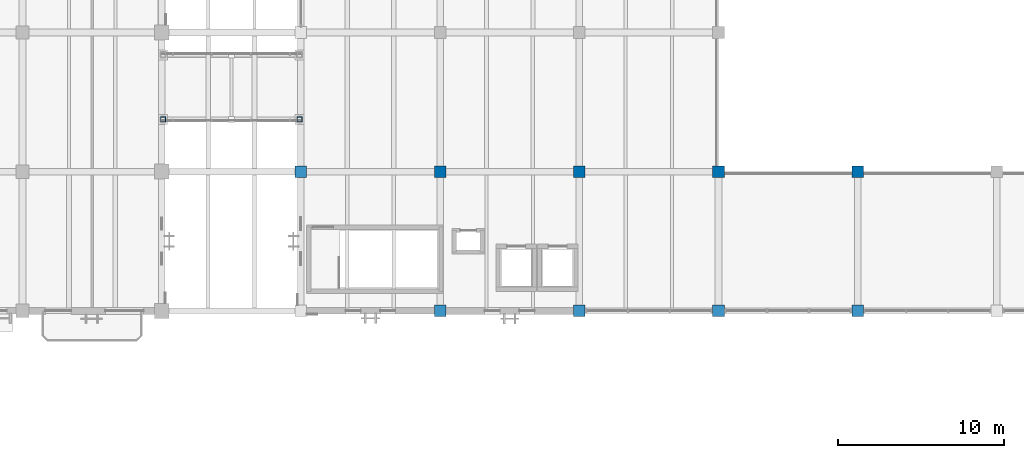
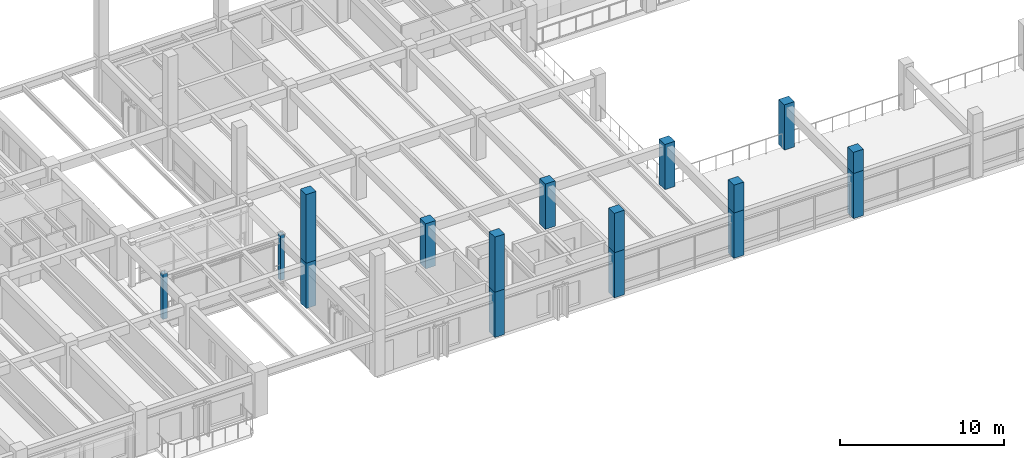
# One storey, part 4 of 123: 16 columns.
"""IFC4 building model written with IfcOpenShell, lengths in metres."""

from ifc_helpers import new_model, si_unit, direction, frame, origin, origin_2d, place, context, subcontext, project, spatial, rectangle, hollow_rectangle, extrude, material, material_profile, profile_set, type_object, element, save


model = new_model("IFC4")

# Units and contexts
model_context = context("Model", 3, precision=1e-05, world=origin(), true_north=direction((0.0, 1.0)))
body_context = subcontext(model_context, "Body", "Model", "MODEL_VIEW")
ifc_project = project(units=[si_unit("LENGTHUNIT", "METRE"), si_unit("AREAUNIT", "SQUARE_METRE"), si_unit("VOLUMEUNIT", "CUBIC_METRE"), si_unit("PLANEANGLEUNIT", "RADIAN"), si_unit("MASSUNIT", "GRAM", prefix="KILO")], contexts=[model_context])

# Site, building, storey
site_placement = place(None, origin())
site = spatial("IfcSite", under=ifc_project, at=site_placement, CompositionType="ELEMENT")
building_placement = place(site_placement, origin())
building = spatial("IfcBuilding", under=site, at=building_placement, Name="Cumbredor Promenade Congress Hotel", CompositionType="ELEMENT")
storey_placement = place(building_placement, frame((0.0, 0.0, 11.760009765625)))
storey = spatial("IfcBuildingStorey", under=building, at=storey_placement, Name="L03", CompositionType="ELEMENT", Elevation=11.760009765625)

# Columns
ifc_material_1 = material(Name="Concrete C40/50", Category="concrete")
ifc_material_profile_1 = material_profile(ifc_material_1, rectangle(XDim=0.699951171875, YDim=0.699951171875, at=origin_2d()), Name="RC 700x700")
ifc_profile_set_1 = profile_set([ifc_material_profile_1], Name="Concrete C40/50")
column_type_1 = type_object("IfcColumnType", Name="COL-RC-700", PredefinedType="COLUMN", material=ifc_profile_set_1)
for number, where, z_axis, x_axis, name in (
    (1, (92.39990234375, 92.39990234375, 0.0), (0.0, 0.0, 1.0), (1.0, 0.0, 0.0), "L03 Structural Column 105"),
    (2, (100.800048828125, 84.0, 0.0), (0.0, 0.0, 1.0), (1.0, 0.0, 0.0), "L03 Structural Column 109"),
    (3, (100.800048828125, 92.39990234375, 0.0), (0.0, 0.0, 1.0), (1.0, 0.0, 0.0), "L03 Structural Column 110"),
    (4, (109.199951171875, 84.0, 0.0), (0.0, 0.0, 1.0), (1.0, 0.0, 0.0), "L03 Structural Column 114"),
    (5, (109.199951171875, 92.39990234375, 0.0), (0.0, 0.0, 1.0), (1.0, 0.0, 0.0), "L03 Structural Column 115"),
    (6, (117.60009765625, 84.0, 0.0), (0.0, 0.0, 1.0), (1.0, 0.0, 0.0), "L03 Structural Column 119"),
    (7, (117.60009765625, 92.39990234375, 0.0), (0.0, 0.0, 1.0), (1.0, 0.0, 0.0), "L03 Structural Column 120"),
    (8, (126.0, 84.0, 0.0), (0.0, 0.0, 1.0), (1.0, 0.0, 0.0), "L03 Structural Column 124"),
    (9, (126.0, 92.39990234375, 0.0), (0.0, 0.0, 1.0), (1.0, 0.0, 0.0), "L03 Structural Column 125"),
):
    element("IfcColumn", number, at=place(storey_placement, frame(where, z_axis=z_axis, x_axis=x_axis)), inside=storey, type_object=column_type_1, Name=name, PredefinedType="COLUMN", context=body_context, shape_type="SweptSolid", body=[
        extrude(rectangle(XDim=0.699951171875, YDim=0.699951171875, at=origin_2d()), origin(), (0.0, 0.0, 1.0), 3.360107421875),
    ])
column_1_placement = place(storey_placement, frame((92.39990234375, 92.39990234375, 3.360107421875), z_axis=(0.0, 0.0, 1.0), x_axis=(1.0, 0.0, 0.0)))
element("IfcColumn", 10, at=column_1_placement, inside=storey, type_object=column_type_1, Name="Pre-Function and Breakout Meeting Forum Clerestory Column Extension 02", PredefinedType="COLUMN", context=body_context, shape_type="SweptSolid", body=[
    extrude(rectangle(XDim=0.699951171875, YDim=0.699951171875, at=origin_2d()), origin(), (0.0, 0.0, 1.0), 5.09912109375),
])
column_2_placement = place(storey_placement, frame((100.800048828125, 84.0, 3.360107421875), z_axis=(0.0, 0.0, 1.0), x_axis=(1.0, 0.0, 0.0)))
element("IfcColumn", 11, at=column_2_placement, inside=storey, type_object=column_type_1, Name="Pre-Function and Breakout Meeting Forum Clerestory Column Extension 06", PredefinedType="COLUMN", context=body_context, shape_type="SweptSolid", body=[
    extrude(rectangle(XDim=0.699951171875, YDim=0.699951171875, at=origin_2d()), origin(), (0.0, 0.0, 1.0), 4.0947265625),
])
column_3_placement = place(storey_placement, frame((109.199951171875, 84.0, 3.360107421875), z_axis=(0.0, 0.0, 1.0), x_axis=(1.0, 0.0, 0.0)))
element("IfcColumn", 12, at=column_3_placement, inside=storey, type_object=column_type_1, Name="Pre-Function and Breakout Meeting Forum Clerestory Column Extension 08", PredefinedType="COLUMN", context=body_context, shape_type="SweptSolid", body=[
    extrude(rectangle(XDim=0.699951171875, YDim=0.699951171875, at=origin_2d()), origin(), (0.0, 0.0, 1.0), 2.915283203125),
])
column_4_placement = place(storey_placement, frame((117.60009765625, 84.0, 3.360107421875), z_axis=(0.0, 0.0, 1.0), x_axis=(1.0, 0.0, 0.0)))
element("IfcColumn", 13, at=column_4_placement, inside=storey, type_object=column_type_1, Name="Pre-Function and Breakout Meeting Forum Clerestory Column Extension 10", PredefinedType="COLUMN", context=body_context, shape_type="SweptSolid", body=[
    extrude(rectangle(XDim=0.699951171875, YDim=0.699951171875, at=origin_2d()), origin(), (0.0, 0.0, 1.0), 2.072265625),
])
column_5_placement = place(storey_placement, frame((126.0, 84.0, 3.360107421875), z_axis=(0.0, 0.0, 1.0), x_axis=(1.0, 0.0, 0.0)))
element("IfcColumn", 14, at=column_5_placement, inside=storey, type_object=column_type_1, Name="Pre-Function and Breakout Meeting Forum Clerestory Column Extension 12", PredefinedType="COLUMN", context=body_context, shape_type="SweptSolid", body=[
    extrude(rectangle(XDim=0.699951171875, YDim=0.699951171875, at=origin_2d()), origin(), (0.0, 0.0, 1.0), 1.566162109375),
])
ifc_material_2 = material(Name="Steel ASTM A500 Grade C", Category="steel")
ifc_material_profile_2 = material_profile(ifc_material_2, hollow_rectangle(XDim=0.300048828125, YDim=0.300048828125, WallThickness=0.01611328125, at=origin_2d()), Name="HSS 300x300x16")
ifc_profile_set_2 = profile_set([ifc_material_profile_2], Name="Steel ASTM A500 Grade C")
column_type_2 = type_object("IfcColumnType", Name="COL-STL-HSS300", PredefinedType="COLUMN", material=ifc_profile_set_2)
for number, where, z_axis, x_axis, name in (
    (15, (84.080078125, 95.550048828125, 0.0), (0.0, 0.0, 1.0), (1.0, 0.0, 0.0), "L03 North Hotel-to-Forum Glazed Bridge Support Column 1"),
    (16, (92.320068359375, 95.550048828125, 0.0), (0.0, 0.0, 1.0), (1.0, 0.0, 0.0), "L03 North Hotel-to-Forum Glazed Bridge Support Column 3"),
):
    element("IfcColumn", number, at=place(storey_placement, frame(where, z_axis=z_axis, x_axis=x_axis)), inside=storey, type_object=column_type_2, Name=name, PredefinedType="COLUMN", context=body_context, shape_type="SweptSolid", body=[
        extrude(hollow_rectangle(XDim=0.300048828125, YDim=0.300048828125, WallThickness=0.01611328125, at=origin_2d()), origin(), (0.0, 0.0, 1.0), 3.360107421875),
    ])

save(model, "model.ifc")
